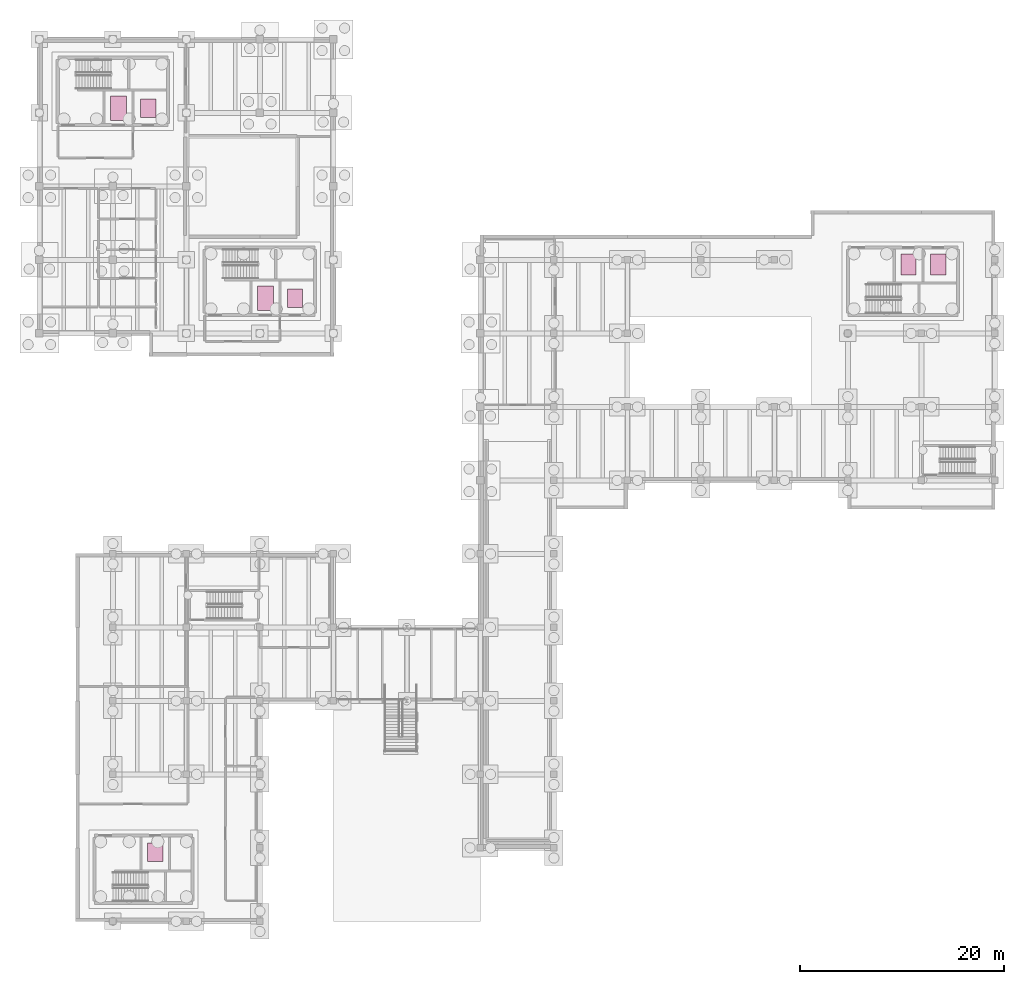
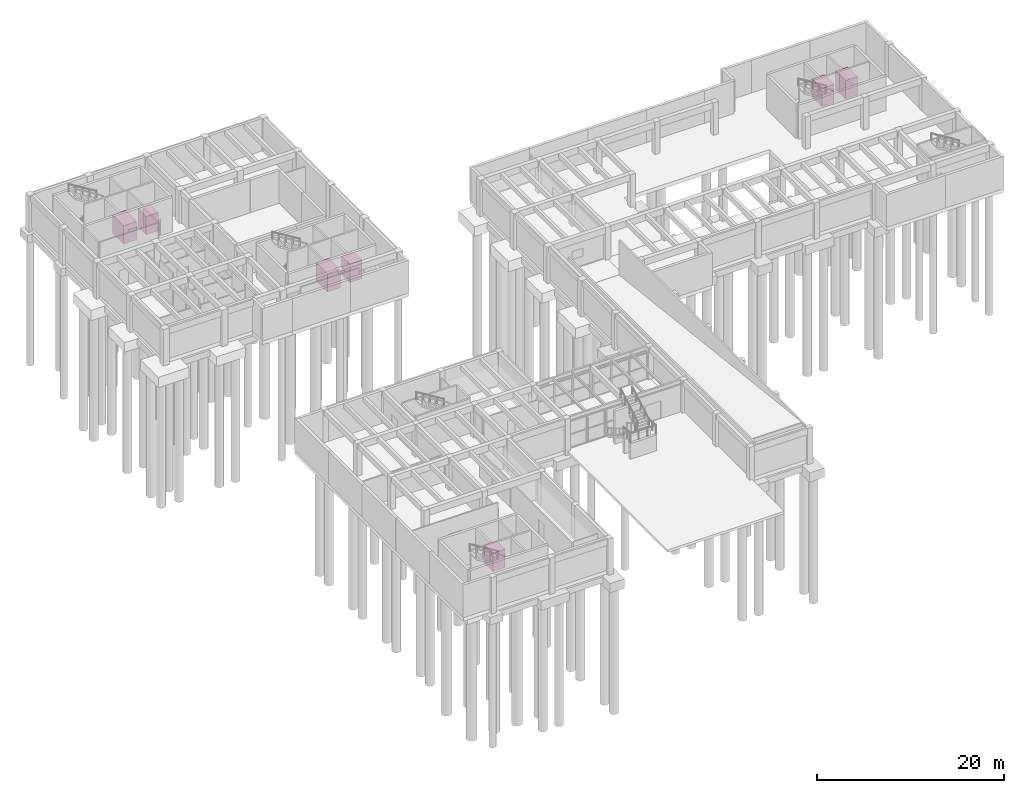
# One storey, part 28 of 28: 7 transport elements.
"""IFC4 building model written with IfcOpenShell, lengths in metres."""

import ifcopenshell
import ifcopenshell.guid

model = None  # the IFC model being written
_history = None  # IfcOwnerHistory: only IFC2X3 demands one
_inside = {}  # id of a spatial element -> (the spatial element, [elements in it])
_under = {}  # id of a project, library or spatial element -> (it, [spatial elements below it])
_declared = {}  # id of a project -> (the project, [libraries it declares])
_typed = {}  # id of a type object -> (the type object, [elements of that type])
_made_of = {}  # id of a material, layer set ... -> (it, [elements and type objects made of it])


def new_model(schema):
    """Start an empty IFC model of exactly this schema.

    Asked for "IFC4X3", IfcOpenShell would pick the latest addendum, in which some entities
    have other attributes; the version numbers below select the first issue.
    IFC2X3 requires an IfcOwnerHistory on every rooted entity: one is made here for all.
    """
    global model, _history
    if schema == "IFC4X3":
        model = ifcopenshell.file(schema_version=(4, 3, 0, 0))
    else:
        model = ifcopenshell.file(schema=schema)
    _inside.clear()
    _under.clear()
    _declared.clear()
    _typed.clear()
    _made_of.clear()
    _history = None
    if model.schema == "IFC2X3":
        org = make("IfcOrganization", Name="unknown")
        user = make(
            "IfcPersonAndOrganization",
            ThePerson=make("IfcPerson", FamilyName="unknown"),
            TheOrganization=org,
        )
        app = make(
            "IfcApplication",
            ApplicationDeveloper=org,
            Version="unknown",
            ApplicationFullName="unknown",
            ApplicationIdentifier="unknown",
        )
        _history = make(
            "IfcOwnerHistory",
            OwningUser=user,
            OwningApplication=app,
            ChangeAction="ADDED",
            CreationDate=0,
        )
    return model


def make(cls, **values):
    """One entity of the class cls with the attributes given. An attribute that is None is left unset."""
    return model.create_entity(
        cls, **{name: value for name, value in values.items() if value is not None}
    )


def rooted(cls, **values):
    """An entity with a GlobalId (a new one), such as an element, a storey or a relation."""
    return make(cls, GlobalId=ifcopenshell.guid.new(), OwnerHistory=_history, **values)


def si_unit(unit_type, name, prefix=None):
    """IfcSIUnit, for example si_unit("LENGTHUNIT", "METRE", prefix="MILLI")."""
    return make("IfcSIUnit", UnitType=unit_type, Prefix=prefix, Name=name)


def assignment(units):
    """IfcUnitAssignment: the units of a project."""
    return None if units is None else make("IfcUnitAssignment", Units=units)


def point(xyz):
    """IfcCartesianPoint."""
    return None if xyz is None else make("IfcCartesianPoint", Coordinates=xyz)


def direction(xyz):
    """IfcDirection."""
    return None if xyz is None else make("IfcDirection", DirectionRatios=xyz)


def frame(location, z_axis=None, x_axis=None):
    """IfcAxis2Placement3D, a coordinate frame: its origin and axes. An axis left out is left unset."""
    return make(
        "IfcAxis2Placement3D",
        Location=point(location),
        Axis=direction(z_axis),
        RefDirection=direction(x_axis),
    )


def frame_2d(location, x_axis=None):
    """IfcAxis2Placement2D, a coordinate frame in the plane: its origin and x axis."""
    return make(
        "IfcAxis2Placement2D", Location=point(location), RefDirection=direction(x_axis)
    )


def origin():
    """The frame at (0, 0, 0) with its axes left unset."""
    return frame((0.0, 0.0, 0.0))


def origin_2d():
    """The frame at (0, 0) in the plane with its x axis left unset."""
    return frame_2d((0.0, 0.0))


def place(relative_to, where):
    """IfcLocalPlacement: puts the frame where relative to a parent placement (None: the world)."""
    return make(
        "IfcLocalPlacement", PlacementRelTo=relative_to, RelativePlacement=where
    )


def context(
    kind, dimensions, precision=None, world=None, true_north=None, identifier=None
):
    """IfcGeometricRepresentationContext, for example the 3D "Model" context."""
    return make(
        "IfcGeometricRepresentationContext",
        ContextIdentifier=identifier,
        ContextType=kind,
        CoordinateSpaceDimension=dimensions,
        Precision=precision,
        WorldCoordinateSystem=world,
        TrueNorth=true_north,
    )


def subcontext(parent, identifier, kind, view, scale=None):
    """IfcGeometricRepresentationSubContext, for example "Body" below "Model"."""
    return make(
        "IfcGeometricRepresentationSubContext",
        ContextIdentifier=identifier,
        ContextType=kind,
        ParentContext=parent,
        TargetScale=scale,
        TargetView=view,
    )


def project(units=None, contexts=None):
    """IfcProject with its units and contexts."""
    return rooted(
        "IfcProject",
        Name="project",
        RepresentationContexts=contexts,
        UnitsInContext=assignment(units),
    )


def spatial(cls, under=None, at=None, **own):
    """A site, building, storey or space (cls), placed at a placement, below another one or the project."""
    s = rooted(cls, ObjectPlacement=at, **own)
    if under is not None:
        _under.setdefault(under.id(), (under, []))[1].append(s)
    return s


def profile(cls, at=None, kind="AREA", **sizes):
    """A parametric profile (cls). Its sizes go by their IFC names, for example OverallWidth=200.0."""
    return make(cls, ProfileType=kind, Position=at, **sizes)


def rectangle(**sizes):
    """IfcRectangleProfileDef."""
    return profile("IfcRectangleProfileDef", **sizes)


def extrude(swept, where, along, depth):
    """IfcExtrudedAreaSolid: the profile swept, set in the frame where, extruded along a direction by depth."""
    return make(
        "IfcExtrudedAreaSolid",
        SweptArea=swept,
        Position=where,
        ExtrudedDirection=direction(along),
        Depth=depth,
    )


def shape(context_of_items, identifier, shape_type, items):
    """IfcShapeRepresentation: the items that make up one representation, for example the "Body"."""
    return make(
        "IfcShapeRepresentation",
        ContextOfItems=context_of_items,
        RepresentationIdentifier=identifier,
        RepresentationType=shape_type,
        Items=items,
    )


def material(Name=None, Category=None):
    """IfcMaterial."""
    return make("IfcMaterial", Name=Name, Category=Category)


def made_of(thing, what):
    """Note that an element or type object is made of a material, layer set ...; save() writes the relation."""
    if what is not None:
        _made_of.setdefault(what.id(), (what, []))[1].append(thing)
    return thing


def type_object(cls, material=None, **own):
    """A type object (cls), such as IfcWallType, which elements share."""
    return made_of(rooted(cls, **own), material)


def element(
    cls,
    number,
    at=None,
    inside=None,
    cuts=None,
    type_object=None,
    material=None,
    context=None,
    identifier="Body",
    shape_type=None,
    held_by="IfcProductDefinitionShape",
    body=None,
    shapes=None,
    **own,
):
    """One element of the class cls, such as IfcWall. Its Tag is "e" and its number.

    at: its placement. inside: the storey or other place that contains it. cuts: it is an
    opening in that element (IfcRelVoidsElement). A single representation is given by context,
    identifier, shape_type and body (its items); several are given by shapes. held_by: the class
    of the entity that holds the representations. save() writes the other relations.
    """
    e = rooted(cls, Tag="e%d" % number, ObjectPlacement=at, **own)
    if body is not None:
        shapes = [shape(context, identifier, shape_type, body)]
    if shapes is not None:
        e.Representation = make(held_by, Representations=shapes)
    if inside is not None:
        _inside.setdefault(inside.id(), (inside, []))[1].append(e)
    if cuts is not None:
        rooted(
            "IfcRelVoidsElement", RelatingBuildingElement=cuts, RelatedOpeningElement=e
        )
    if type_object is not None:
        _typed.setdefault(type_object.id(), (type_object, []))[1].append(e)
    return made_of(e, material)


def aggregate(whole, parts):
    """IfcRelAggregates: a whole, such as a stair, and the parts it consists of."""
    return rooted("IfcRelAggregates", RelatingObject=whole, RelatedObjects=parts)


def save(model, path):
    """Write the relations noted so far, then the file.

    IfcRelAggregates (storeys below a building ...), IfcRelContainedInSpatialStructure (elements
    in a storey), IfcRelDefinesByType, IfcRelAssociatesMaterial and IfcRelDeclares: one each for
    every whole, place, type object, material and project.
    """
    for whole, parts in _under.values():
        aggregate(whole, parts)
    for where, things in _inside.values():
        rooted(
            "IfcRelContainedInSpatialStructure",
            RelatedElements=things,
            RelatingStructure=where,
        )
    for kind, things in _typed.values():
        rooted("IfcRelDefinesByType", RelatedObjects=things, RelatingType=kind)
    for what, things in _made_of.values():
        rooted("IfcRelAssociatesMaterial", RelatedObjects=things, RelatingMaterial=what)
    for by, libraries in _declared.values():
        rooted("IfcRelDeclares", RelatingContext=by, RelatedDefinitions=libraries)
    model.write(path)


model = new_model("IFC4")

# Units and contexts
model_context = context("Model", 3, precision=1e-05, world=origin(), true_north=direction((0.0, 1.0)))
body_context = subcontext(model_context, "Body", "Model", "MODEL_VIEW")
ifc_project = project(units=[si_unit("LENGTHUNIT", "METRE"), si_unit("AREAUNIT", "SQUARE_METRE"), si_unit("VOLUMEUNIT", "CUBIC_METRE"), si_unit("PLANEANGLEUNIT", "RADIAN"), si_unit("MASSUNIT", "GRAM", prefix="KILO")], contexts=[model_context])

# Site, building, storey
site_placement = place(None, origin())
site = spatial("IfcSite", under=ifc_project, at=site_placement, CompositionType="ELEMENT")
building_placement = place(site_placement, origin())
building = spatial("IfcBuilding", under=site, at=building_placement, Name="Bramvelor Terrace Health Centre", CompositionType="ELEMENT")
storey_placement = place(building_placement, frame((0.0, 0.0, -4.5)))
storey = spatial("IfcBuildingStorey", under=building, at=storey_placement, Name="B1", CompositionType="ELEMENT", Elevation=-4.5)

# Transport elements
ifc_material_1 = material(Name="Brushed stainless steel 316", Category="steel")
transport_element_type_1 = type_object("IfcTransportElementType", Name="LFT-TYPE-LF-01", PredefinedType="ELEVATOR", material=ifc_material_1)
transport_element_1_placement = place(storey_placement, frame((7.75, 108.449951171875, 0.0), z_axis=(0.0, 0.0, 1.0), x_axis=(1.0, 0.0, 0.0)))
element("IfcTransportElement", 1, at=transport_element_1_placement, inside=storey, type_object=transport_element_type_1, Name="Elevator LF-01", PredefinedType="ELEVATOR", context=body_context, shape_type="SweptSolid", body=[
    extrude(rectangle(XDim=1.60009765625, YDim=2.39990234375, at=origin_2d()), origin(), (0.0, 0.0, 1.0), 2.39990234375),
])
ifc_material_2 = material(Name="Brushed stainless steel 316", Category="steel")
transport_element_type_2 = type_object("IfcTransportElementType", Name="LFT-TYPE-LF-02", PredefinedType="ELEVATOR", material=ifc_material_2)
transport_element_2_placement = place(storey_placement, frame((22.14990234375, 89.85009765625, 0.0), z_axis=(0.0, 0.0, 1.0), x_axis=(1.0, 0.0, 0.0)))
element("IfcTransportElement", 2, at=transport_element_2_placement, inside=storey, type_object=transport_element_type_2, Name="Elevator LF-02", PredefinedType="ELEVATOR", context=body_context, shape_type="SweptSolid", body=[
    extrude(rectangle(XDim=1.60009765625, YDim=2.39990234375, at=origin_2d()), origin(), (0.0, 0.0, 1.0), 2.39990234375),
])
ifc_material_3 = material(Name="Brushed stainless steel 316", Category="steel")
transport_element_type_3 = type_object("IfcTransportElementType", Name="LFT-TYPE-LP-01", PredefinedType="ELEVATOR", material=ifc_material_3)
transport_element_3_placement = place(storey_placement, frame((10.64990234375, 108.449951171875, 0.0), z_axis=(0.0, 0.0, 1.0), x_axis=(1.0, 0.0, 0.0)))
element("IfcTransportElement", 3, at=transport_element_3_placement, inside=storey, type_object=transport_element_type_3, Name="Elevator LP-01", PredefinedType="ELEVATOR", context=body_context, shape_type="SweptSolid", body=[
    extrude(rectangle(XDim=1.5, YDim=1.800048828125, at=origin_2d()), origin(), (0.0, 0.0, 1.0), 2.39990234375),
])
ifc_material_4 = material(Name="Brushed stainless steel 316", Category="steel")
transport_element_type_4 = type_object("IfcTransportElementType", Name="LFT-TYPE-LP-02", PredefinedType="ELEVATOR", material=ifc_material_4)
transport_element_4_placement = place(storey_placement, frame((25.050048828125, 89.85009765625, 0.0), z_axis=(0.0, 0.0, 1.0), x_axis=(1.0, 0.0, 0.0)))
element("IfcTransportElement", 4, at=transport_element_4_placement, inside=storey, type_object=transport_element_type_4, Name="Elevator LP-02", PredefinedType="ELEVATOR", context=body_context, shape_type="SweptSolid", body=[
    extrude(rectangle(XDim=1.5, YDim=1.800048828125, at=origin_2d()), origin(), (0.0, 0.0, 1.0), 2.39990234375),
])
ifc_material_5 = material(Name="Brushed stainless steel 316", Category="steel")
transport_element_type_5 = type_object("IfcTransportElementType", Name="LFT-TYPE-LP-03", PredefinedType="ELEVATOR", material=ifc_material_5)
transport_element_5_placement = place(storey_placement, frame((11.35009765625, 35.550048828125, 0.0), z_axis=(0.0, 0.0, 1.0), x_axis=(1.0, 0.0, 0.0)))
element("IfcTransportElement", 5, at=transport_element_5_placement, inside=storey, type_object=transport_element_type_5, Name="Elevator LP-03", PredefinedType="ELEVATOR", context=body_context, shape_type="SweptSolid", body=[
    extrude(rectangle(XDim=1.5, YDim=1.800048828125, at=origin_2d()), origin(), (0.0, 0.0, 1.0), 2.39990234375),
])
ifc_material_6 = material(Name="Brushed stainless steel 316", Category="steel")
transport_element_type_6 = type_object("IfcTransportElementType", Name="LFT-TYPE-LS-01", PredefinedType="ELEVATOR", material=ifc_material_6)
transport_element_6_placement = place(storey_placement, frame((85.14990234375, 93.14990234375, 0.0), z_axis=(0.0, 0.0, 1.0), x_axis=(1.0, 0.0, 0.0)))
element("IfcTransportElement", 6, at=transport_element_6_placement, inside=storey, type_object=transport_element_type_6, Name="Elevator LS-01", PredefinedType="ELEVATOR", context=body_context, shape_type="SweptSolid", body=[
    extrude(rectangle(XDim=1.5, YDim=2.10009765625, at=origin_2d()), origin(), (0.0, 0.0, 1.0), 2.39990234375),
])
ifc_material_7 = material(Name="Brushed stainless steel 316", Category="steel")
transport_element_type_7 = type_object("IfcTransportElementType", Name="LFT-TYPE-LS-02", PredefinedType="ELEVATOR", material=ifc_material_7)
transport_element_7_placement = place(storey_placement, frame((88.050048828125, 93.14990234375, 0.0), z_axis=(0.0, 0.0, 1.0), x_axis=(1.0, 0.0, 0.0)))
element("IfcTransportElement", 7, at=transport_element_7_placement, inside=storey, type_object=transport_element_type_7, Name="Elevator LS-02", PredefinedType="ELEVATOR", context=body_context, shape_type="SweptSolid", body=[
    extrude(rectangle(XDim=1.5, YDim=2.10009765625, at=origin_2d()), origin(), (0.0, 0.0, 1.0), 2.39990234375),
])

save(model, "model.ifc")
